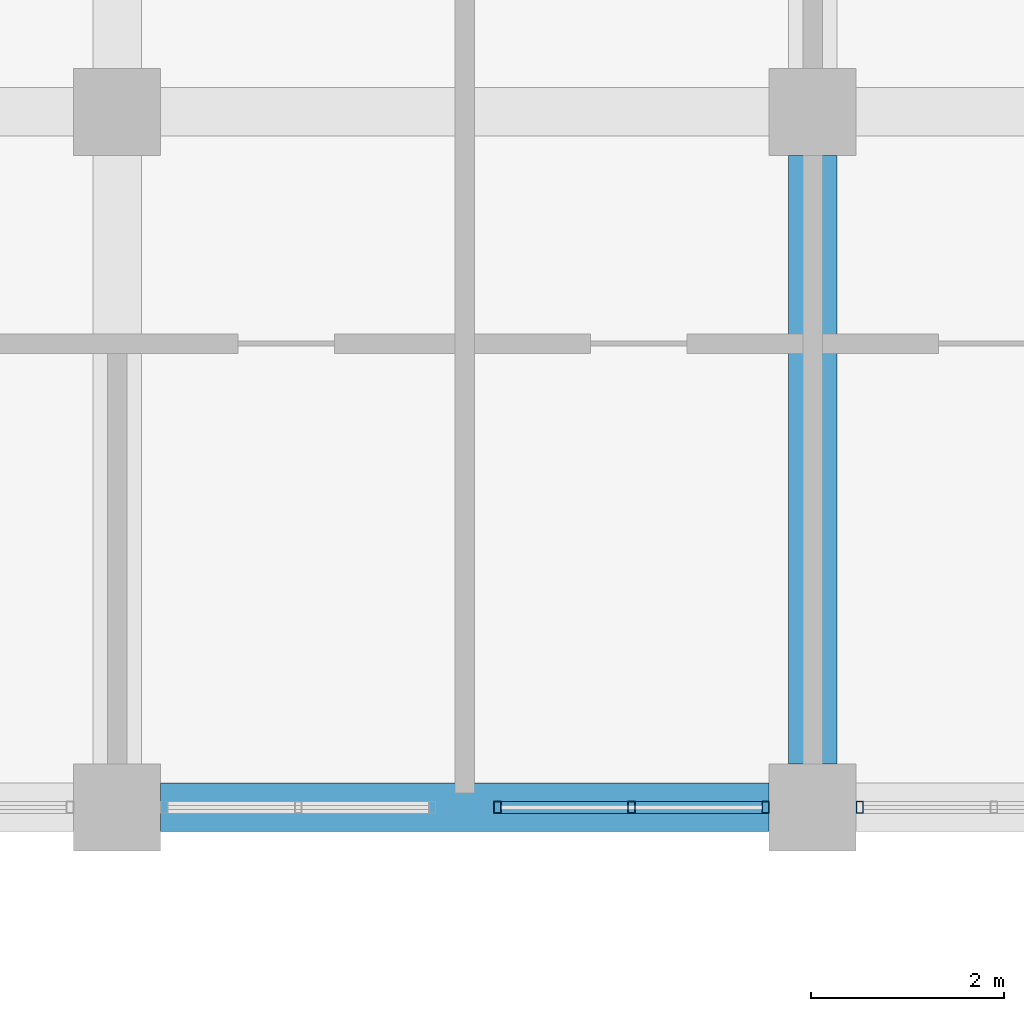
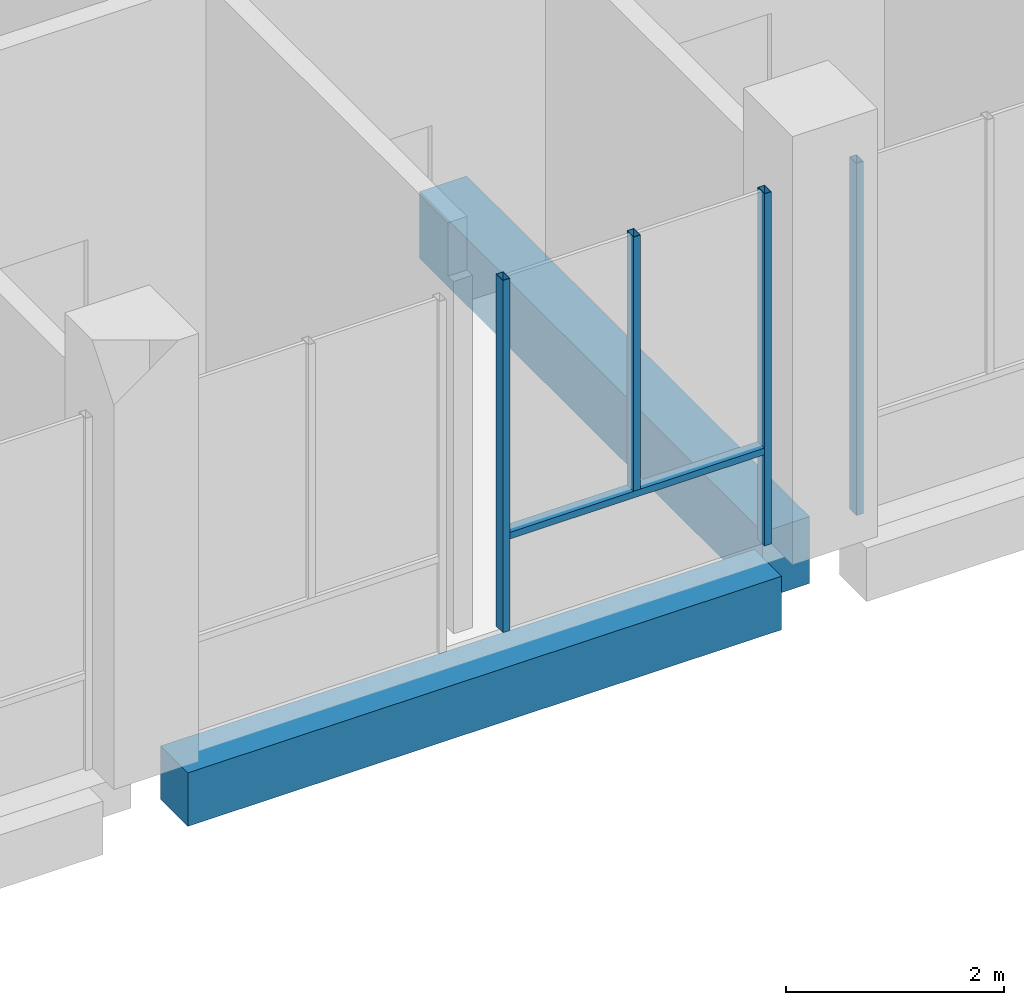
# One storey, part 8 of 30: 5 members, 2 beams, 2 elements without a shape of their own.
"""IFC4 building model written with IfcOpenShell, lengths in metres."""

from ifc_helpers import new_model, si_unit, direction, frame, origin, origin_2d, place, context, subcontext, project, spatial, rectangle, hollow_rectangle, extrude, material, material_profile, profile_set, type_object, element, aggregate, save


model = new_model("IFC4")

# Units and contexts
model_context = context("Model", 3, precision=1e-05, world=origin(), true_north=direction((0.0, 1.0)))
body_context = subcontext(model_context, "Body", "Model", "MODEL_VIEW")
ifc_project = project(units=[si_unit("LENGTHUNIT", "METRE"), si_unit("AREAUNIT", "SQUARE_METRE"), si_unit("VOLUMEUNIT", "CUBIC_METRE"), si_unit("PLANEANGLEUNIT", "RADIAN"), si_unit("MASSUNIT", "GRAM", prefix="KILO")], contexts=[model_context])

# Site, building, storey
site_placement = place(None, origin())
site = spatial("IfcSite", under=ifc_project, at=site_placement, CompositionType="ELEMENT")
building_placement = place(site_placement, origin())
building = spatial("IfcBuilding", under=site, at=building_placement, Name="Silangan Lancet Faculty of Sciences", CompositionType="ELEMENT")
storey_placement = place(building_placement, frame((0.0, 0.0, 31.199951171875)))
storey = spatial("IfcBuildingStorey", under=building, at=storey_placement, Name="L06", CompositionType="ELEMENT", Elevation=31.199951171875)

# Beams
ifc_material_1 = material(Name="Concrete C40/50", Category="concrete")
ifc_material_profile_1 = material_profile(ifc_material_1, rectangle(XDim=0.5, YDim=0.60009765625, at=origin_2d()), Name="RC 500x600")
ifc_profile_set_1 = profile_set([ifc_material_profile_1], Name="Concrete C40/50")
beam_type_1 = type_object("IfcBeamType", Name="BEAM RC 500x600", PredefinedType="BEAM", material=ifc_profile_set_1)
beam_1_placement = place(storey_placement, frame((7.64990234375, 36.0, -0.550048828125), z_axis=(1.0, 0.0, 0.0), x_axis=(0.0, 1.0, 0.0)))
element("IfcBeam", 1, at=beam_1_placement, inside=storey, type_object=beam_type_1, Name="BM-L06-2F-3F", PredefinedType="BEAM", context=body_context, shape_type="SweptSolid", body=[
    extrude(rectangle(XDim=0.5, YDim=0.60009765625, at=origin_2d()), origin(), (0.0, 0.0, 1.0), 6.300048828125),
])
ifc_material_2 = material(Name="Concrete C40/50", Category="concrete")
ifc_material_profile_2 = material_profile(ifc_material_2, rectangle(XDim=0.5, YDim=0.75, at=origin_2d()), Name="RC 500x750")
ifc_profile_set_2 = profile_set([ifc_material_profile_2], Name="Concrete C40/50")
beam_type_2 = type_object("IfcBeamType", Name="BEAM RC 500x750", PredefinedType="BEAM", material=ifc_profile_set_2)
beam_2_placement = place(storey_placement, frame((14.39990234375, 36.449951171875, -0.625), z_axis=(0.0, 1.0, 0.0), x_axis=(-1.0, 0.0, 0.0)))
element("IfcBeam", 2, at=beam_2_placement, inside=storey, type_object=beam_type_2, Name="BM-L06-3F-3G", PredefinedType="BEAM", context=body_context, shape_type="SweptSolid", body=[
    extrude(rectangle(XDim=0.5, YDim=0.75, at=origin_2d()), origin(), (0.0, 0.0, 1.0), 6.300048828125),
])

# Curtain wall, members
ifc_material_3 = material(Name="Aluminium framed curtain wall with insulated glass", Category="aluminium")
curtain_wall_type = type_object("IfcCurtainWallType", Name="CW2 Atrium fire-resisting screen", PredefinedType="NOTDEFINED", material=ifc_material_3)
curtain_wall_1_placement = place(storey_placement, origin())
curtain_wall_1 = element("IfcCurtainWall", 3, at=curtain_wall_1_placement, inside=storey, type_object=curtain_wall_type, Name="CW2 Atrium north L06 bay 4", PredefinedType="NOTDEFINED")
ifc_material_4 = material(Name="Steel S355J2H", Category="steel")
ifc_material_profile_3 = material_profile(ifc_material_4, hollow_rectangle(XDim=0.074951171875, YDim=0.125, WallThickness=0.0048828125, at=origin_2d()), Name="ST BOX 75x125x5")
ifc_profile_set_3 = profile_set([ifc_material_profile_3], Name="Steel S355J2H")
member_type_1 = type_object("IfcMemberType", Name="CM2 Mullion 75x125", PredefinedType="MULLION", material=ifc_profile_set_3)
member_1_placement = place(storey_placement, frame((11.137451171875, 36.0, 0.0), z_axis=(0.0, 0.0, 1.0), x_axis=(1.0, 0.0, 0.0)))
member_1 = element("IfcMember", 4, at=member_1_placement, type_object=member_type_1, Name="CW2 Atrium north L06 bay 4 mullion 1", PredefinedType="MULLION", context=body_context, shape_type="SweptSolid", body=[
    extrude(hollow_rectangle(XDim=0.074951171875, YDim=0.125, WallThickness=0.0048828125, at=origin_2d()), origin(), (0.0, 0.0, 1.0), 3.949951171875),
])
member_2_placement = place(storey_placement, frame((13.91259765625, 36.0, 0.0), z_axis=(0.0, 0.0, 1.0), x_axis=(1.0, 0.0, 0.0)))
member_2 = element("IfcMember", 5, at=member_2_placement, type_object=member_type_1, Name="CW2 Atrium north L06 bay 4 mullion 2", PredefinedType="MULLION", context=body_context, shape_type="SweptSolid", body=[
    extrude(hollow_rectangle(XDim=0.074951171875, YDim=0.125, WallThickness=0.0048828125, at=origin_2d()), origin(), (0.0, 0.0, 1.0), 3.949951171875),
])
member_3_placement = place(storey_placement, frame((12.52490234375, 36.0, 1.10009765625), z_axis=(0.0, 0.0, 1.0), x_axis=(1.0, 0.0, 0.0)))
member_3 = element("IfcMember", 6, at=member_3_placement, type_object=member_type_1, Name="CW2 Atrium north L06 bay 4 mullion 3", PredefinedType="MULLION", context=body_context, shape_type="SweptSolid", body=[
    extrude(hollow_rectangle(XDim=0.074951171875, YDim=0.125, WallThickness=0.0048828125, at=origin_2d()), origin(), (0.0, 0.0, 1.0), 2.849853515625),
])

# Curtain wall, member
curtain_wall_2_placement = place(storey_placement, origin())
curtain_wall_2 = element("IfcCurtainWall", 7, at=curtain_wall_2_placement, inside=storey, type_object=curtain_wall_type, Name="CW2 Atrium north L06 bay 5", PredefinedType="NOTDEFINED")
member_4_placement = place(storey_placement, frame((14.887451171875, 36.0, 0.0), z_axis=(0.0, 0.0, 1.0), x_axis=(1.0, 0.0, 0.0)))
member_4 = element("IfcMember", 8, at=member_4_placement, type_object=member_type_1, Name="CW2 Atrium north L06 bay 5 mullion 1", PredefinedType="MULLION", context=body_context, shape_type="SweptSolid", body=[
    extrude(hollow_rectangle(XDim=0.074951171875, YDim=0.125, WallThickness=0.0048828125, at=origin_2d()), origin(), (0.0, 0.0, 1.0), 3.949951171875),
])
aggregate(curtain_wall_2, [member_4])

# Member
ifc_material_5 = material(Name="Steel S355J2H", Category="steel")
ifc_material_profile_4 = material_profile(ifc_material_5, hollow_rectangle(XDim=0.125, YDim=0.074951171875, WallThickness=0.0048828125, at=origin_2d()), Name="ST BOX 125x75x5")
ifc_profile_set_4 = profile_set([ifc_material_profile_4], Name="Steel S355J2H")
member_type_2 = type_object("IfcMemberType", Name="CT2 Transom 125x75", PredefinedType="USERDEFINED", material=ifc_profile_set_4)
member_5_placement = place(storey_placement, frame((11.175048828125, 36.0, 1.0625), z_axis=(1.0, 0.0, 0.0), x_axis=(0.0, 1.0, 0.0)))
member_5 = element("IfcMember", 9, at=member_5_placement, type_object=member_type_2, Name="CW2 Atrium north L06 bay 4 transom 1", ObjectType="TRANSOM", PredefinedType="USERDEFINED", context=body_context, shape_type="SweptSolid", body=[
    extrude(hollow_rectangle(XDim=0.125, YDim=0.074951171875, WallThickness=0.0048828125, at=origin_2d()), origin(), (0.0, 0.0, 1.0), 2.699951171875),
])

aggregate(curtain_wall_1, [member_1, member_2, member_3, member_5])

save(model, "model.ifc")
